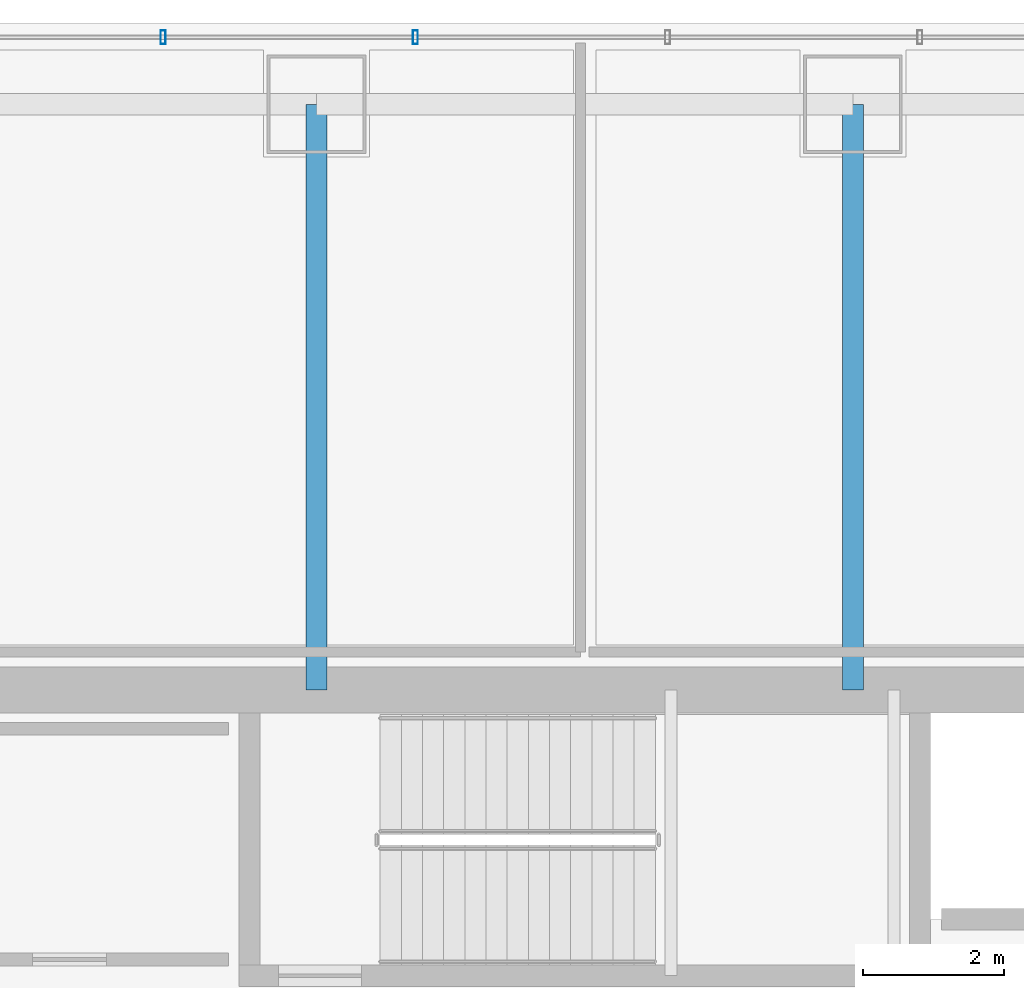
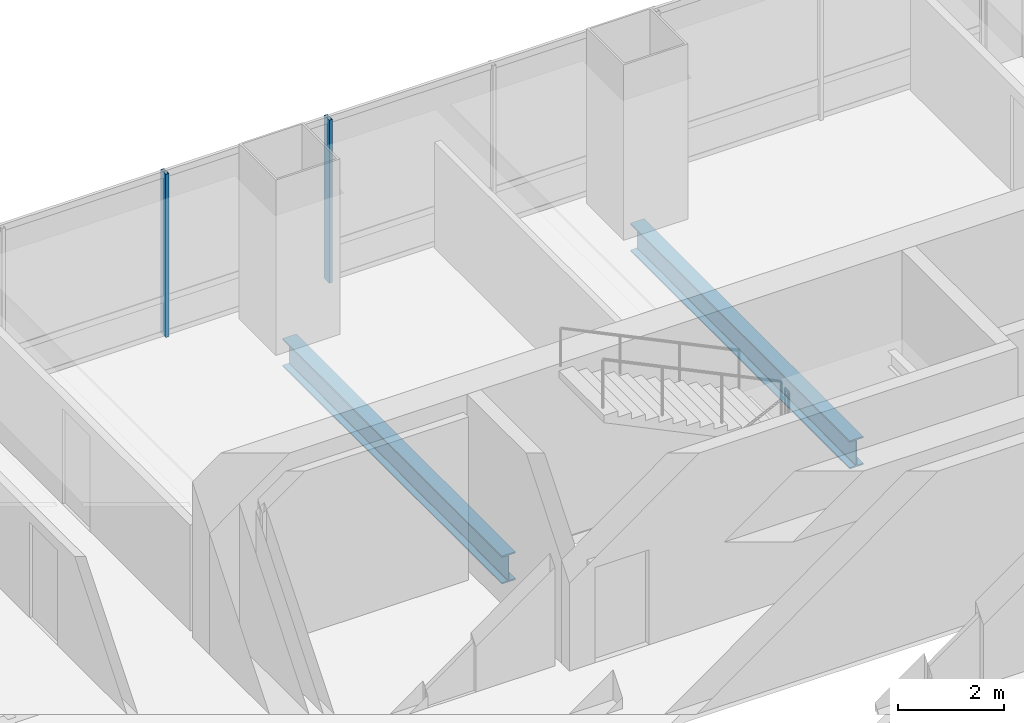
# One storey, part 23 of 46: 2 beams, 2 members, 1 element without a shape of its own.
"""IFC4 building model written with IfcOpenShell, lengths in metres."""

from ifc_helpers import new_model, si_unit, direction, frame, origin, origin_2d, place, context, subcontext, project, spatial, hollow_rectangle, i_section, extrude, material, material_profile, profile_set, type_object, element, aggregate, save


model = new_model("IFC4")

# Units and contexts
model_context = context("Model", 3, precision=1e-05, world=origin(), true_north=direction((0.0, 1.0)))
body_context = subcontext(model_context, "Body", "Model", "MODEL_VIEW")
ifc_project = project(units=[si_unit("LENGTHUNIT", "METRE"), si_unit("AREAUNIT", "SQUARE_METRE"), si_unit("VOLUMEUNIT", "CUBIC_METRE"), si_unit("PLANEANGLEUNIT", "RADIAN"), si_unit("MASSUNIT", "GRAM", prefix="KILO")], contexts=[model_context])

# Site, building, storey
site_placement = place(None, origin())
site = spatial("IfcSite", under=ifc_project, at=site_placement, CompositionType="ELEMENT")
building_placement = place(site_placement, origin())
building = spatial("IfcBuilding", under=site, at=building_placement, Name="Punatoya Terracotta Tower", CompositionType="ELEMENT")
storey_placement = place(building_placement, frame((0.0, 0.0, 200.550048828125)))
storey = spatial("IfcBuildingStorey", under=building, at=storey_placement, Name="L47", CompositionType="ELEMENT", Elevation=200.550048828125)

# Beams
ifc_material_1 = material(Name="Steel S355", Category="steel")
ifc_material_profile_1 = material_profile(ifc_material_1, i_section(OverallWidth=0.300048828125, OverallDepth=0.64990234375, WebThickness=0.01611328125, FlangeThickness=0.031005859375, FilletRadius=0.01806640625, at=origin_2d()))
ifc_profile_set_1 = profile_set([ifc_material_profile_1], Name="Steel S355")
beam_type = type_object("IfcBeamType", Name="BM-PRI-650", PredefinedType="BEAM", material=ifc_profile_set_1)
for number, where, z_axis, x_axis, name in (
    (1, (-3.800048828125, 9.199951171875, -0.545166015625), (0.0, 1.0, 0.0), (-1.0, 0.0, 0.0), "BM-L47-PR-N2"),
    (2, (3.800048828125, 9.199951171875, -0.545166015625), (0.0, 1.0, 0.0), (-1.0, 0.0, 0.0), "BM-L47-PR-N3"),
):
    element("IfcBeam", number, at=place(storey_placement, frame(where, z_axis=z_axis, x_axis=x_axis)), inside=storey, type_object=beam_type, Name=name, PredefinedType="BEAM", context=body_context, shape_type="SweptSolid", body=[
        extrude(i_section(OverallWidth=0.300048828125, OverallDepth=0.64990234375, WebThickness=0.01611328125, FlangeThickness=0.031005859375, FilletRadius=0.01806640625, at=origin_2d()), origin(), (0.0, 0.0, 1.0), 8.300048828125),
    ])

# Curtain wall, members
ifc_material_2 = material(Name="Aluminium 6063-T6 + Double Low-E Glass", Category="aluminium")
curtain_wall_type = type_object("IfcCurtainWallType", Name="CW-M2", PredefinedType="NOTDEFINED", material=ifc_material_2)
curtain_wall_placement = place(storey_placement, origin())
curtain_wall = element("IfcCurtainWall", 3, at=curtain_wall_placement, inside=storey, type_object=curtain_wall_type, Name="L47 Curtain Wall CW-L47-N09-1", PredefinedType="NOTDEFINED")
ifc_material_3 = material(Name="Aluminium 6063-T6", Category="aluminium")
ifc_material_profile_2 = material_profile(ifc_material_3, hollow_rectangle(XDim=0.072021484375, YDim=0.195068359375, WallThickness=0.00439453125, at=origin_2d()))
ifc_profile_set_2 = profile_set([ifc_material_profile_2], Name="Aluminium 6063-T6")
member_type = type_object("IfcMemberType", Name="CW-MUL-M2", PredefinedType="MULLION", material=ifc_profile_set_2)
member_1_placement = place(storey_placement, frame((-2.39990234375, 18.449951171875, 0.0), z_axis=(0.0, 0.0, 1.0), x_axis=(1.0, 0.0, 0.0)))
member_1 = element("IfcMember", 4, at=member_1_placement, type_object=member_type, Name="CW-L47-N09-1 Mullion 04", PredefinedType="MULLION", context=body_context, shape_type="SweptSolid", body=[
    extrude(hollow_rectangle(XDim=0.072021484375, YDim=0.195068359375, WallThickness=0.00439453125, at=origin_2d()), origin(), (0.0, 0.0, 1.0), 3.77001953125),
])
member_2_placement = place(storey_placement, frame((-5.97509765625, 18.449951171875, 0.0), z_axis=(0.0, 0.0, 1.0), x_axis=(1.0, 0.0, 0.0)))
member_2 = element("IfcMember", 5, at=member_2_placement, type_object=member_type, Name="CW-L47-N09-1 Mullion 05", PredefinedType="MULLION", context=body_context, shape_type="SweptSolid", body=[
    extrude(hollow_rectangle(XDim=0.072021484375, YDim=0.195068359375, WallThickness=0.00439453125, at=origin_2d()), origin(), (0.0, 0.0, 1.0), 3.77001953125),
])
aggregate(curtain_wall, [member_1, member_2])

save(model, "model.ifc")
